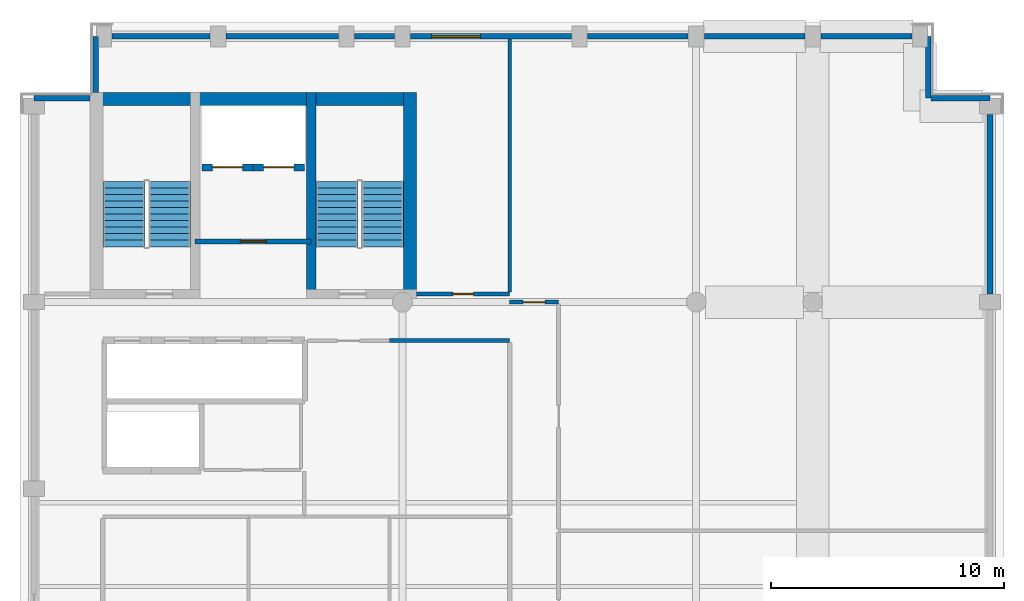
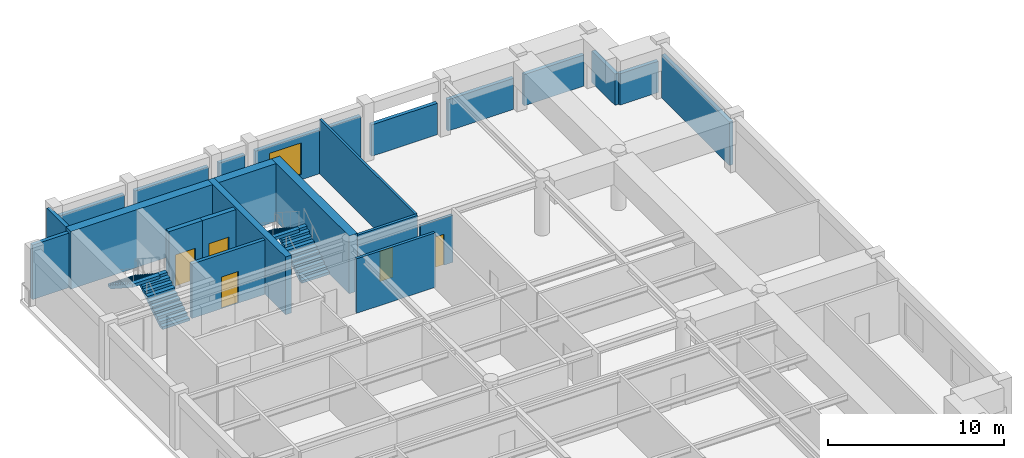
# One storey, part 4 of 7: 22 walls, 5 doors, 4 stair flights, 1 window, 6 openings, 2 elements without a shape of their own.
"""IFC4 building model written with IfcOpenShell, lengths in metres."""

from ifc_helpers import new_model, si_unit, direction, frame, frame_2d, origin, place, context, subcontext, project, spatial, polyline, rectangle, outline, extrude, material, layer, layer_set, type_object, element, fill, aggregate, save


model = new_model("IFC4")

# Units and contexts
model_context = context("Model", 3, precision=1e-05, world=origin(), true_north=direction((0.0, 1.0)))
body_context = subcontext(model_context, "Body", "Model", "MODEL_VIEW")
ifc_project = project(units=[si_unit("LENGTHUNIT", "METRE"), si_unit("AREAUNIT", "SQUARE_METRE"), si_unit("VOLUMEUNIT", "CUBIC_METRE"), si_unit("PLANEANGLEUNIT", "RADIAN"), si_unit("MASSUNIT", "GRAM", prefix="KILO")], contexts=[model_context])

# Site, building, storey
site_placement = place(None, origin())
site = spatial("IfcSite", under=ifc_project, at=site_placement, CompositionType="ELEMENT")
building_placement = place(site_placement, origin())
building = spatial("IfcBuilding", under=site, at=building_placement, Name="Sulina Concourse Tower", CompositionType="ELEMENT")
storey_placement = place(building_placement, frame((0.0, 0.0, 301.0)))
storey = spatial("IfcBuildingStorey", under=building, at=storey_placement, Name="L73", CompositionType="ELEMENT", Elevation=301.0)

# Wall, opening, door
ifc_material_1 = material(Name="Concrete C50/60", Category="concrete")
ifc_layer_1 = layer(ifc_material_1, 0.300048828125)
ifc_layer_set_1 = layer_set([ifc_layer_1], Name="Concrete C50/60")
wall_type_1 = type_object("IfcWallType", Name="Core Lift Hoistway Wall 300mm", PredefinedType="SOLIDWALL", material=ifc_layer_set_1)
wall_1_placement = place(storey_placement, frame((10.0, 39.780029296875, 0.0), z_axis=(0.0, 0.0, 1.0), x_axis=(-1.0, 0.0, 0.0)))
wall_1 = element("IfcWall", 1, at=wall_1_placement, inside=storey, type_object=wall_type_1, Name="L73 hoistway enclosure wall FFL-1", PredefinedType="SOLIDWALL", context=body_context, shape_type="SweptSolid", body=[
    extrude(rectangle(XDim=2.199951171875, YDim=0.300048828125, at=frame_2d((1.10009765625, 0.0))), origin(), (0.0, 0.0, 1.0), 4.0),
])
opening_1_placement = place(wall_1_placement, frame((0.449951171875, 0.0, 0.0)))
opening_1 = element("IfcOpeningElement", 2, at=opening_1_placement, cuts=wall_1, Name="Opening LD-02", PredefinedType="OPENING", context=body_context, shape_type="SweptSolid", body=[
    extrude(rectangle(XDim=1.300048828125, YDim=2.25, at=frame_2d((0.64990234375, 1.125))), frame((0.0, 0.159912109375, 0.0), z_axis=(0.0, -1.0, 0.0), x_axis=(1.0, 0.0, 0.0)), (0.0, 0.0, 1.0), 0.320068359375),
])
ifc_material_2 = material(Name="Stainless steel lift landing door", Category="steel")
ifc_layer_2 = layer(ifc_material_2, 0.050048828125)
ifc_layer_set_2 = layer_set([ifc_layer_2], Name="Stainless steel lift landing door")
door_type_1 = type_object("IfcDoorType", Name="Firefighting Lift Sliding Landing Door 1300x2250", OperationType="SLIDING_TO_RIGHT", PredefinedType="DOOR", material=ifc_layer_set_2)
door_1_placement = place(opening_1_placement, origin())
door_1 = element("IfcDoor", 3, at=door_1_placement, inside=storey, type_object=door_type_1, Name="L73 lift landing sliding door FFL-1", OperationType="SLIDING_TO_LEFT", OverallHeight=2.25, OverallWidth=1.300048828125, PredefinedType="DOOR", context=body_context, shape_type="SweptSolid", body=[
    extrude(rectangle(XDim=1.300048828125, YDim=2.25, at=frame_2d((0.64990234375, 1.125))), frame((0.0, 0.02490234375, 0.0), z_axis=(0.0, -1.0, 0.0), x_axis=(1.0, 0.0, 0.0)), (0.0, 0.0, 1.0), 0.050048828125),
])
fill(opening_1, door_1)

wall_2_placement = place(storey_placement, frame((12.199951171875, 39.780029296875, 0.0), z_axis=(0.0, 0.0, 1.0), x_axis=(-1.0, 0.0, 0.0)))
wall_2 = element("IfcWall", 4, at=wall_2_placement, inside=storey, type_object=wall_type_1, Name="L73 hoistway enclosure wall FFL-2", PredefinedType="SOLIDWALL", context=body_context, shape_type="SweptSolid", body=[
    extrude(rectangle(XDim=2.199951171875, YDim=0.300048828125, at=frame_2d((1.10009765625, 0.0))), origin(), (0.0, 0.0, 1.0), 4.0),
])
opening_2_placement = place(wall_2_placement, frame((0.449951171875, 0.0, 0.0)))
opening_2 = element("IfcOpeningElement", 5, at=opening_2_placement, cuts=wall_2, Name="Opening LD-02", PredefinedType="OPENING", context=body_context, shape_type="SweptSolid", body=[
    extrude(rectangle(XDim=1.300048828125, YDim=2.25, at=frame_2d((0.64990234375, 1.125))), frame((0.0, 0.159912109375, 0.0), z_axis=(0.0, -1.0, 0.0), x_axis=(1.0, 0.0, 0.0)), (0.0, 0.0, 1.0), 0.320068359375),
])
door_2_placement = place(opening_2_placement, origin())
door_2 = element("IfcDoor", 6, at=door_2_placement, inside=storey, type_object=door_type_1, Name="L73 lift landing sliding door FFL-2", OperationType="SLIDING_TO_RIGHT", OverallHeight=2.25, OverallWidth=1.300048828125, PredefinedType="DOOR", context=body_context, shape_type="SweptSolid", body=[
    extrude(rectangle(XDim=1.300048828125, YDim=2.25, at=frame_2d((0.64990234375, 1.125))), frame((0.0, 0.02490234375, 0.0), z_axis=(0.0, -1.0, 0.0), x_axis=(1.0, 0.0, 0.0)), (0.0, 0.0, 1.0), 0.050048828125),
])
fill(opening_2, door_2)

# Walls
ifc_material_3 = material(Name="Precast concrete C50/60", Category="concrete")
ifc_layer_3 = layer(ifc_material_3, 0.239990234375)
ifc_layer_set_3 = layer_set([ifc_layer_3], Name="Precast concrete C50/60")
wall_type_2 = type_object("IfcWallType", Name="Crown Precast Masonry-Frame Facade Wall 240mm", PredefinedType="SOLIDWALL", material=ifc_layer_set_3)
wall_3_placement = place(storey_placement, frame((3.945068359375, 45.39990234375, 0.0), z_axis=(0.0, 0.0, 1.0), x_axis=(1.0, 0.0, 0.0)))
element("IfcWall", 7, at=wall_3_placement, inside=storey, type_object=wall_type_2, Name="L73 exterior precast wall N1", PredefinedType="SOLIDWALL", context=body_context, shape_type="SweptSolid", body=[
    extrude(rectangle(XDim=4.2099609375, YDim=0.239990234375, at=frame_2d((2.10498046875, 0.0))), origin(), (0.0, 0.0, 1.0), 3.02490234375),
])
wall_4_placement = place(storey_placement, frame((8.844970703125, 45.39990234375, 0.0), z_axis=(0.0, 0.0, 1.0), x_axis=(1.0, 0.0, 0.0)))
element("IfcWall", 8, at=wall_4_placement, inside=storey, type_object=wall_type_2, Name="L73 exterior precast wall N2", PredefinedType="SOLIDWALL", context=body_context, shape_type="SweptSolid", body=[
    extrude(rectangle(XDim=4.81005859375, YDim=0.239990234375, at=frame_2d((2.405029296875, 0.0))), origin(), (0.0, 0.0, 1.0), 3.02490234375),
])
wall_5_placement = place(storey_placement, frame((14.344970703125, 45.39990234375, 0.0), z_axis=(0.0, 0.0, 1.0), x_axis=(1.0, 0.0, 0.0)))
element("IfcWall", 9, at=wall_5_placement, inside=storey, type_object=wall_type_2, Name="L73 exterior precast wall N3", PredefinedType="SOLIDWALL", context=body_context, shape_type="SweptSolid", body=[
    extrude(rectangle(XDim=1.7099609375, YDim=0.239990234375, at=frame_2d((0.85498046875, 0.0))), origin(), (0.0, 0.0, 1.0), 3.02490234375),
])

# Wall, opening, window
wall_6_placement = place(storey_placement, frame((16.7451171875, 45.39990234375, 0.0), z_axis=(0.0, 0.0, 1.0), x_axis=(1.0, 0.0, 0.0)))
wall_6 = element("IfcWall", 10, at=wall_6_placement, inside=storey, type_object=wall_type_2, Name="L73 exterior precast wall N4", PredefinedType="SOLIDWALL", context=body_context, shape_type="SweptSolid", body=[
    extrude(rectangle(XDim=6.909912109375, YDim=0.239990234375, at=frame_2d((3.455078125, 0.0))), origin(), (0.0, 0.0, 1.0), 3.02490234375),
])
opening_3_placement = place(wall_6_placement, frame((0.9033203125, 0.0, 0.35009765625)))
opening_3 = element("IfcOpeningElement", 11, at=opening_3_placement, cuts=wall_6, Name="Opening WN-33", PredefinedType="OPENING", context=body_context, shape_type="SweptSolid", body=[
    extrude(rectangle(XDim=2.10009765625, YDim=2.199951171875, at=frame_2d((1.050048828125, 1.10009765625))), frame((0.0, 0.1298828125, 0.0), z_axis=(0.0, -1.0, 0.0), x_axis=(1.0, 0.0, 0.0)), (0.0, 0.0, 1.0), 0.260009765625),
])
ifc_material_4 = material(Name="Low-E solar double glazing in bronze aluminium", Category="aluminium")
window_type = type_object("IfcWindowType", Name="Punched Masonry-Frame Window 2100x2200", PartitioningType="DOUBLE_PANEL_VERTICAL", PredefinedType="WINDOW", material=ifc_material_4)
window_placement = place(opening_3_placement, origin())
window = element("IfcWindow", 12, at=window_placement, inside=storey, type_object=window_type, Name="L73 punched window N4-1", OverallHeight=2.199951171875, OverallWidth=2.10009765625, PartitioningType="SINGLE_PANEL", PredefinedType="WINDOW", context=body_context, shape_type="SweptSolid", body=[
    extrude(rectangle(XDim=2.10009765625, YDim=2.199951171875, at=frame_2d((1.050048828125, 1.10009765625))), frame((0.0, 0.030029296875, 0.0), z_axis=(0.0, -1.0, 0.0), x_axis=(1.0, 0.0, 0.0)), (0.0, 0.0, 1.0), 0.06005859375),
])
fill(opening_3, window)

# Walls
wall_7_placement = place(storey_placement, frame((24.344970703125, 45.39990234375, 0.0), z_axis=(0.0, 0.0, 1.0), x_axis=(1.0, 0.0, 0.0)))
element("IfcWall", 13, at=wall_7_placement, inside=storey, type_object=wall_type_2, Name="L73 exterior precast wall N5", PredefinedType="SOLIDWALL", context=body_context, shape_type="SweptSolid", body=[
    extrude(rectangle(XDim=4.31005859375, YDim=0.239990234375, at=frame_2d((2.155029296875, 0.0))), origin(), (0.0, 0.0, 1.0), 2.175048828125),
])
wall_8_placement = place(storey_placement, frame((29.344970703125, 45.39990234375, 0.0), z_axis=(0.0, 0.0, 1.0), x_axis=(1.0, 0.0, 0.0)))
element("IfcWall", 14, at=wall_8_placement, inside=storey, type_object=wall_type_2, Name="L73 exterior precast wall N6", PredefinedType="SOLIDWALL", context=body_context, shape_type="SweptSolid", body=[
    extrude(rectangle(XDim=4.31005859375, YDim=0.239990234375, at=frame_2d((2.155029296875, 0.0))), origin(), (0.0, 0.0, 1.0), 2.1650390625),
])
wall_9_placement = place(storey_placement, frame((34.344970703125, 45.39990234375, 0.0), z_axis=(0.0, 0.0, 1.0), x_axis=(1.0, 0.0, 0.0)))
element("IfcWall", 15, at=wall_9_placement, inside=storey, type_object=wall_type_2, Name="L73 exterior precast wall N7", PredefinedType="SOLIDWALL", context=body_context, shape_type="SweptSolid", body=[
    extrude(rectangle(XDim=3.909912109375, YDim=0.239990234375, at=frame_2d((1.955078125, 0.0))), origin(), (0.0, 0.0, 1.0), 2.1650390625),
])
wall_10_placement = place(storey_placement, frame((41.60009765625, 42.054931640625, 0.0), z_axis=(0.0, 0.0, 1.0), x_axis=(0.0, -1.0, 0.0)))
element("IfcWall", 16, at=wall_10_placement, inside=storey, type_object=wall_type_2, Name="L73 exterior precast wall E3", PredefinedType="SOLIDWALL", context=body_context, shape_type="SweptSolid", body=[
    extrude(rectangle(XDim=7.7099609375, YDim=0.239990234375, at=frame_2d((3.85498046875, 0.0))), origin(), (0.0, 0.0, 1.0), 3.014892578125),
])
wall_11_placement = place(storey_placement, frame((0.60009765625, 42.7451171875, 0.0), z_axis=(0.0, 0.0, 1.0), x_axis=(1.0, 0.0, 0.0)))
element("IfcWall", 17, at=wall_11_placement, inside=storey, type_object=wall_type_2, Name="L73 exterior precast wall CNW1", PredefinedType="SOLIDWALL", context=body_context, shape_type="SweptSolid", body=[
    extrude(rectangle(XDim=2.39501953125, YDim=0.239990234375, at=frame_2d((1.197509765625, 0.0))), origin(), (0.0, 0.0, 1.0), 3.77490234375),
])
wall_12_placement = place(storey_placement, frame((3.2548828125, 42.985107421875, 0.0), z_axis=(0.0, 0.0, 1.0), x_axis=(0.0, 1.0, 0.0)))
element("IfcWall", 18, at=wall_12_placement, inside=storey, type_object=wall_type_2, Name="L73 exterior precast wall CNW2", PredefinedType="SOLIDWALL", context=body_context, shape_type="SweptSolid", body=[
    extrude(rectangle(XDim=2.414794921875, YDim=0.239990234375, at=frame_2d((1.20751953125, 0.0))), origin(), (0.0, 0.0, 1.0), 3.77490234375),
])
wall_13_placement = place(storey_placement, frame((38.945068359375, 45.39990234375, 0.0), z_axis=(0.0, 0.0, 1.0), x_axis=(0.0, -1.0, 0.0)))
element("IfcWall", 19, at=wall_13_placement, inside=storey, type_object=wall_type_2, Name="L73 exterior precast wall CNE1", PredefinedType="SOLIDWALL", context=body_context, shape_type="SweptSolid", body=[
    extrude(rectangle(XDim=2.65478515625, YDim=0.239990234375, at=frame_2d((1.327392578125, 0.0))), origin(), (0.0, 0.0, 1.0), 2.1650390625),
])
wall_14_placement = place(storey_placement, frame((39.070068359375, 42.7451171875, 0.0), z_axis=(0.0, 0.0, 1.0), x_axis=(1.0, 0.0, 0.0)))
element("IfcWall", 20, at=wall_14_placement, inside=storey, type_object=wall_type_2, Name="L73 exterior precast wall CNE2", PredefinedType="SOLIDWALL", context=body_context, shape_type="SweptSolid", body=[
    extrude(rectangle(XDim=2.530029296875, YDim=0.239990234375, at=frame_2d((1.26513671875, 0.0))), origin(), (0.0, 0.0, 1.0), 2.1650390625),
])

# Wall, opening, door
ifc_material_5 = material(Name="Gypsum board on steel stud", Category="steel")
ifc_layer_4 = layer(ifc_material_5, 0.219970703125)
ifc_layer_set_4 = layer_set([ifc_layer_4], Name="Gypsum board on steel stud")
wall_type_3 = type_object("IfcWallType", Name="Fire-Rated Lobby & Compartment Wall 220mm", PredefinedType="PARTITIONING", material=ifc_layer_set_4)
wall_15_placement = place(storey_placement, frame((7.510009765625, 36.60009765625, 0.0), z_axis=(0.0, 0.0, 1.0), x_axis=(1.0, 0.0, 0.0)))
wall_15 = element("IfcWall", 21, at=wall_15_placement, inside=storey, type_object=wall_type_3, Name="L73 firefighting lobby south fire wall", PredefinedType="PARTITIONING", context=body_context, shape_type="SweptSolid", body=[
    extrude(rectangle(XDim=4.97998046875, YDim=0.219970703125, at=frame_2d((2.489990234375, 0.0))), origin(), (0.0, 0.0, 1.0), 3.77490234375),
])
opening_4_placement = place(wall_15_placement, frame((1.93994140625, 0.0, 0.0)))
opening_4 = element("IfcOpeningElement", 22, at=opening_4_placement, cuts=wall_15, Name="Opening DR-47", PredefinedType="OPENING", context=body_context, shape_type="SweptSolid", body=[
    extrude(rectangle(XDim=1.10009765625, YDim=2.199951171875, at=frame_2d((0.550048828125, 1.10009765625))), frame((0.0, 0.119873046875, 0.0), z_axis=(0.0, -1.0, 0.0), x_axis=(1.0, 0.0, 0.0)), (0.0, 0.0, 1.0), 0.239990234375),
])
ifc_material_6 = material(Name="Galvanised steel acoustic fire leaf", Category="steel")
ifc_layer_5 = layer(ifc_material_6, 0.054931640625)
ifc_layer_set_5 = layer_set([ifc_layer_5], Name="Galvanised steel acoustic fire leaf")
door_type_2 = type_object("IfcDoorType", Name="Firefighting Lobby Fire Door 1100x2200", OperationType="NOTDEFINED", PredefinedType="DOOR", material=ifc_layer_set_5)
door_3_placement = place(opening_4_placement, origin())
door_3 = element("IfcDoor", 23, at=door_3_placement, inside=storey, type_object=door_type_2, Name="L73 firefighting lobby fire door", OperationType="SINGLE_SWING_RIGHT", OverallHeight=2.199951171875, OverallWidth=1.10009765625, PredefinedType="DOOR", context=body_context, shape_type="SweptSolid", body=[
    extrude(rectangle(XDim=1.10009765625, YDim=2.199951171875, at=frame_2d((0.550048828125, 1.10009765625))), frame((0.0, 0.02490234375, 0.0), z_axis=(0.0, -1.0, 0.0), x_axis=(1.0, 0.0, 0.0)), (0.0, 0.0, 1.0), 0.050048828125),
])
fill(opening_4, door_3)

# Walls
ifc_material_7 = material(Name="Gypsum board on steel stud", Category="steel")
ifc_layer_6 = layer(ifc_material_7, 0.14990234375)
ifc_layer_set_6 = layer_set([ifc_layer_6], Name="Gypsum board on steel stud")
wall_type_4 = type_object("IfcWallType", Name="Inter-Tenancy Acoustic Partition 150mm", PredefinedType="PARTITIONING", material=ifc_layer_set_6)
wall_16_placement = place(storey_placement, frame((21.0, 34.43994140625, 0.0), z_axis=(0.0, 0.0, 1.0), x_axis=(0.0, 1.0, 0.0)))
element("IfcWall", 24, at=wall_16_placement, inside=storey, type_object=wall_type_4, Name="L73 interior partition 028", PredefinedType="PARTITIONING", context=body_context, shape_type="SweptSolid", body=[
    extrude(rectangle(XDim=10.840087890625, YDim=0.14990234375, at=frame_2d((5.419921875, 0.0))), origin(), (0.0, 0.0, 1.0), 3.77490234375),
])
ifc_material_8 = material(Name="Gypsum board on steel stud", Category="steel")
ifc_layer_7 = layer(ifc_material_8, 0.179931640625)
ifc_layer_set_7 = layer_set([ifc_layer_7], Name="Gypsum board on steel stud")
wall_type_5 = type_object("IfcWallType", Name="Protected Corridor & Riser Partition 180mm", PredefinedType="PARTITIONING", material=ifc_layer_set_7)
wall_17_placement = place(storey_placement, frame((15.85009765625, 32.35009765625, 0.0), z_axis=(0.0, 0.0, 1.0), x_axis=(1.0, 0.0, 0.0)))
element("IfcWall", 25, at=wall_17_placement, inside=storey, type_object=wall_type_5, Name="L73 interior partition 016", PredefinedType="PARTITIONING", context=body_context, shape_type="SweptSolid", body=[
    extrude(rectangle(XDim=5.14990234375, YDim=0.179931640625, at=frame_2d((2.574951171875, 0.0))), origin(), (0.0, 0.0, 1.0), 3.77490234375),
])

# Wall, opening, door
wall_18_placement = place(storey_placement, frame((21.0, 34.0, 0.0), z_axis=(0.0, 0.0, 1.0), x_axis=(1.0, 0.0, 0.0)))
wall_18 = element("IfcWall", 26, at=wall_18_placement, inside=storey, type_object=wall_type_5, Name="L73 interior partition 017", PredefinedType="PARTITIONING", context=body_context, shape_type="SweptSolid", body=[
    extrude(rectangle(XDim=2.10009765625, YDim=0.179931640625, at=frame_2d((1.050048828125, 0.0))), origin(), (0.0, 0.0, 1.0), 3.27001953125),
])
opening_5_placement = place(wall_18_placement, frame((0.574951171875, 0.0, 0.0)))
opening_5 = element("IfcOpeningElement", 27, at=opening_5_placement, cuts=wall_18, Name="Opening DR-19", PredefinedType="OPENING", context=body_context, shape_type="SweptSolid", body=[
    extrude(rectangle(XDim=0.949951171875, YDim=2.14990234375, at=frame_2d((0.47509765625, 1.074951171875))), frame((0.0, 0.099853515625, 0.0), z_axis=(0.0, -1.0, 0.0), x_axis=(1.0, 0.0, 0.0)), (0.0, 0.0, 1.0), 0.199951171875),
])
ifc_material_9 = material(Name="Oak-veneered acoustic timber leaf", Category="wood")
ifc_layer_8 = layer(ifc_material_9, 0.050048828125)
ifc_layer_set_8 = layer_set([ifc_layer_8], Name="Oak-veneered acoustic timber leaf")
door_type_3 = type_object("IfcDoorType", Name="Cellular Office & Meeting Door 950x2150", OperationType="NOTDEFINED", PredefinedType="DOOR", material=ifc_layer_set_8)
door_4_placement = place(opening_5_placement, origin())
door_4 = element("IfcDoor", 28, at=door_4_placement, inside=storey, type_object=door_type_3, Name="L73 interior door L73-CR-N2", OperationType="SINGLE_SWING_RIGHT", OverallHeight=2.14990234375, OverallWidth=0.949951171875, PredefinedType="DOOR", context=body_context, shape_type="SweptSolid", body=[
    extrude(rectangle(XDim=0.949951171875, YDim=2.14990234375, at=frame_2d((0.47509765625, 1.074951171875))), frame((0.0, 0.02490234375, 0.0), z_axis=(0.0, -1.0, 0.0), x_axis=(1.0, 0.0, 0.0)), (0.0, 0.0, 1.0), 0.050048828125),
])
fill(opening_5, door_4)

wall_19_placement = place(storey_placement, frame((17.0, 34.35009765625, 0.0), z_axis=(0.0, 0.0, 1.0), x_axis=(1.0, 0.0, 0.0)))
wall_19 = element("IfcWall", 29, at=wall_19_placement, inside=storey, type_object=wall_type_5, Name="L73 interior partition 019", PredefinedType="PARTITIONING", context=body_context, shape_type="SweptSolid", body=[
    extrude(rectangle(XDim=4.0, YDim=0.179931640625, at=frame_2d((2.0, 0.0))), origin(), (0.0, 0.0, 1.0), 3.77490234375),
])
opening_6_placement = place(wall_19_placement, frame((1.56005859375, 0.0, 0.0)))
opening_6 = element("IfcOpeningElement", 30, at=opening_6_placement, cuts=wall_19, Name="Opening DR-38", PredefinedType="OPENING", context=body_context, shape_type="SweptSolid", body=[
    extrude(rectangle(XDim=0.8798828125, YDim=2.10009765625, at=frame_2d((0.43994140625, 1.050048828125))), frame((0.0, 0.099853515625, 0.0), z_axis=(0.0, -1.0, 0.0), x_axis=(1.0, 0.0, 0.0)), (0.0, 0.0, 1.0), 0.199951171875),
])
ifc_material_10 = material(Name="Galvanised steel acoustic fire leaf", Category="steel")
ifc_layer_9 = layer(ifc_material_10, 0.050048828125)
ifc_layer_set_9 = layer_set([ifc_layer_9], Name="Galvanised steel acoustic fire leaf")
door_type_4 = type_object("IfcDoorType", Name="Service Riser Fire Door 880x2100", OperationType="NOTDEFINED", PredefinedType="DOOR", material=ifc_layer_set_9)
door_5_placement = place(opening_6_placement, origin())
door_5 = element("IfcDoor", 31, at=door_5_placement, inside=storey, type_object=door_type_4, Name="L73 interior door L73-CR-N1", OperationType="SINGLE_SWING_LEFT", OverallHeight=2.10009765625, OverallWidth=0.8798828125, PredefinedType="DOOR", context=body_context, shape_type="SweptSolid", body=[
    extrude(rectangle(XDim=0.8798828125, YDim=2.10009765625, at=frame_2d((0.43994140625, 1.050048828125))), frame((0.0, 0.02490234375, 0.0), z_axis=(0.0, -1.0, 0.0), x_axis=(1.0, 0.0, 0.0)), (0.0, 0.0, 1.0), 0.050048828125),
])
fill(opening_6, door_5)

# Walls
ifc_material_11 = material(Name="Concrete C60/75", Category="concrete")
ifc_layer_10 = layer(ifc_material_11, 0.39990234375)
ifc_layer_set_10 = layer_set([ifc_layer_10], Name="Concrete C60/75")
wall_type_6 = type_object("IfcWallType", Name="Protected Stair Core Shear Wall 400mm", PredefinedType="SHEAR", material=ifc_layer_set_10)
wall_20_placement = place(storey_placement, frame((12.489990234375, 34.14990234375, 0.0), z_axis=(0.0, 0.0, 1.0), x_axis=(0.0, 1.0, 0.0)))
element("IfcWall", 32, at=wall_20_placement, inside=storey, type_object=wall_type_6, Name="L73 west core shear wall SW-ST2", PredefinedType="SHEAR", context=body_context, shape_type="SweptSolid", body=[
    extrude(rectangle(XDim=8.830078125, YDim=0.39990234375, at=frame_2d((4.4150390625, 0.0))), origin(), (0.0, 0.0, 1.0), 4.0),
])
ifc_material_12 = material(Name="Concrete C50/60", Category="concrete")
ifc_layer_11 = layer(ifc_material_12, 0.550048828125)
ifc_layer_set_11 = layer_set([ifc_layer_11], Name="Concrete C50/60")
wall_type_7 = type_object("IfcWallType", Name="Upper Core Shear Wall 550mm", PredefinedType="SHEAR", material=ifc_layer_set_11)
wall_21_placement = place(storey_placement, frame((3.0, 42.705078125, 0.0), z_axis=(0.0, 0.0, 1.0), x_axis=(1.0, 0.0, 0.0)))
element("IfcWall", 33, at=wall_21_placement, inside=storey, type_object=wall_type_7, Name="L73 west core shear wall CW-WN", PredefinedType="SHEAR", context=body_context, shape_type="SweptSolid", body=[
    extrude(rectangle(XDim=14.0, YDim=0.550048828125, at=frame_2d((7.0, 0.0))), origin(), (0.0, 0.0, 1.0), 4.0),
])
wall_22_placement = place(storey_placement, frame((16.72509765625, 34.14990234375, 0.0), z_axis=(0.0, 0.0, 1.0), x_axis=(0.0, 1.0, 0.0)))
element("IfcWall", 34, at=wall_22_placement, inside=storey, type_object=wall_type_7, Name="L73 west core shear wall CW-WE", PredefinedType="SHEAR", context=body_context, shape_type="SweptSolid", body=[
    extrude(rectangle(XDim=8.830078125, YDim=0.550048828125, at=frame_2d((4.4150390625, 0.0))), origin(), (0.0, 0.0, 1.0), 4.0),
])

# Stair, stair flights
ifc_material_13 = material(Name="Concrete C50/60", Category="concrete")
stair_type = type_object("IfcStairType", Name="Primary Core Dog-Leg Exit Stair 1800mm", PredefinedType="HALF_TURN_STAIR", material=ifc_material_13)
stair_1_placement = place(storey_placement, origin())
stair_1 = element("IfcStair", 35, at=stair_1_placement, inside=storey, type_object=stair_type, Name="L73 ST-1", PredefinedType="HALF_TURN_STAIR")
ifc_material_14 = material(Name="Concrete C50/60", Category="concrete")
stair_flight_type = type_object("IfcStairFlightType", Name="Primary Core Dog-Leg Exit Stair 1800mm Flight", PredefinedType="STRAIGHT", material=ifc_material_14)
stair_flight_1_placement = place(storey_placement, frame((6.405029296875, 36.375, 0.0), z_axis=(0.0, 0.0, 1.0), x_axis=(0.0, 1.0, 0.0)))
stair_flight_1 = element("IfcStairFlight", 36, at=stair_flight_1_placement, type_object=stair_flight_type, Name="ST-1 flight 1", NumberOfRisers=11, NumberOfTreads=10, PredefinedType="STRAIGHT", RiserHeight=0.181818182, TreadLength=0.28, context=body_context, shape_type="SweptSolid", body=[
    extrude(outline(polyline([(0.0, 0.0), (0.0, 0.181884765625), (0.280029296875, 0.181884765625), (0.280029296875, 0.363525390625), (0.56005859375, 0.363525390625), (0.56005859375, 0.54541015625), (0.840087890625, 0.54541015625), (0.840087890625, 0.727294921875), (1.1201171875, 0.727294921875), (1.1201171875, 0.9091796875), (1.39990234375, 0.9091796875), (1.39990234375, 1.0908203125), (1.679931640625, 1.0908203125), (1.679931640625, 1.272705078125), (1.9599609375, 1.272705078125), (1.9599609375, 1.45458984375), (2.239990234375, 1.45458984375), (2.239990234375, 1.636474609375), (2.52001953125, 1.636474609375), (2.52001953125, 1.818115234375), (2.800048828125, 1.818115234375), (2.800048828125, 2.0), (2.800048828125, 1.603759765625), (0.330322265625, 0.0), (0.0, 0.0)])), frame((0.0, 0.89990234375, 0.0), z_axis=(0.0, -1.0, 0.0), x_axis=(1.0, 0.0, 0.0)), (0.0, 0.0, 1.0), 1.800048828125),
])
stair_flight_2_placement = place(storey_placement, frame((4.455078125, 39.175048828125, 2.0), z_axis=(0.0, 0.0, 1.0), x_axis=(0.0, -1.0, 0.0)))
stair_flight_2 = element("IfcStairFlight", 37, at=stair_flight_2_placement, type_object=stair_flight_type, Name="ST-1 flight 2", NumberOfRisers=11, NumberOfTreads=10, PredefinedType="STRAIGHT", RiserHeight=0.181818182, TreadLength=0.28, context=body_context, shape_type="SweptSolid", body=[
    extrude(outline(polyline([(0.0, 0.0), (0.0, 0.181884765625), (0.280029296875, 0.181884765625), (0.280029296875, 0.363525390625), (0.56005859375, 0.363525390625), (0.56005859375, 0.54541015625), (0.840087890625, 0.54541015625), (0.840087890625, 0.727294921875), (1.1201171875, 0.727294921875), (1.1201171875, 0.9091796875), (1.39990234375, 0.9091796875), (1.39990234375, 1.0908203125), (1.679931640625, 1.0908203125), (1.679931640625, 1.272705078125), (1.9599609375, 1.272705078125), (1.9599609375, 1.45458984375), (2.239990234375, 1.45458984375), (2.239990234375, 1.636474609375), (2.52001953125, 1.636474609375), (2.52001953125, 1.818115234375), (2.800048828125, 1.818115234375), (2.800048828125, 2.0), (2.800048828125, 1.603759765625), (0.330322265625, 0.0), (0.0, 0.0)])), frame((0.0, 0.89990234375, 0.0), z_axis=(0.0, -1.0, 0.0), x_axis=(1.0, 0.0, 0.0)), (0.0, 0.0, 1.0), 1.800048828125),
])
aggregate(stair_1, [stair_flight_1, stair_flight_2])

stair_2_placement = place(storey_placement, origin())
stair_2 = element("IfcStair", 38, at=stair_2_placement, inside=storey, type_object=stair_type, Name="L73 ST-2", PredefinedType="HALF_TURN_STAIR")
stair_flight_3_placement = place(storey_placement, frame((15.544921875, 36.375, 0.0), z_axis=(0.0, 0.0, 1.0), x_axis=(0.0, 1.0, 0.0)))
stair_flight_3 = element("IfcStairFlight", 39, at=stair_flight_3_placement, type_object=stair_flight_type, Name="ST-2 flight 1", NumberOfRisers=11, NumberOfTreads=10, PredefinedType="STRAIGHT", RiserHeight=0.181818182, TreadLength=0.28, context=body_context, shape_type="SweptSolid", body=[
    extrude(outline(polyline([(0.0, 0.0), (0.0, 0.181884765625), (0.280029296875, 0.181884765625), (0.280029296875, 0.363525390625), (0.56005859375, 0.363525390625), (0.56005859375, 0.54541015625), (0.840087890625, 0.54541015625), (0.840087890625, 0.727294921875), (1.1201171875, 0.727294921875), (1.1201171875, 0.9091796875), (1.39990234375, 0.9091796875), (1.39990234375, 1.0908203125), (1.679931640625, 1.0908203125), (1.679931640625, 1.272705078125), (1.9599609375, 1.272705078125), (1.9599609375, 1.45458984375), (2.239990234375, 1.45458984375), (2.239990234375, 1.636474609375), (2.52001953125, 1.636474609375), (2.52001953125, 1.818115234375), (2.800048828125, 1.818115234375), (2.800048828125, 2.0), (2.800048828125, 1.603759765625), (0.330322265625, 0.0), (0.0, 0.0)])), frame((0.0, 0.89990234375, 0.0), z_axis=(0.0, -1.0, 0.0), x_axis=(1.0, 0.0, 0.0)), (0.0, 0.0, 1.0), 1.800048828125),
])
stair_flight_4_placement = place(storey_placement, frame((13.594970703125, 39.175048828125, 2.0), z_axis=(0.0, 0.0, 1.0), x_axis=(0.0, -1.0, 0.0)))
stair_flight_4 = element("IfcStairFlight", 40, at=stair_flight_4_placement, type_object=stair_flight_type, Name="ST-2 flight 2", NumberOfRisers=11, NumberOfTreads=10, PredefinedType="STRAIGHT", RiserHeight=0.181818182, TreadLength=0.28, context=body_context, shape_type="SweptSolid", body=[
    extrude(outline(polyline([(0.0, 0.0), (0.0, 0.181884765625), (0.280029296875, 0.181884765625), (0.280029296875, 0.363525390625), (0.56005859375, 0.363525390625), (0.56005859375, 0.54541015625), (0.840087890625, 0.54541015625), (0.840087890625, 0.727294921875), (1.1201171875, 0.727294921875), (1.1201171875, 0.9091796875), (1.39990234375, 0.9091796875), (1.39990234375, 1.0908203125), (1.679931640625, 1.0908203125), (1.679931640625, 1.272705078125), (1.9599609375, 1.272705078125), (1.9599609375, 1.45458984375), (2.239990234375, 1.45458984375), (2.239990234375, 1.636474609375), (2.52001953125, 1.636474609375), (2.52001953125, 1.818115234375), (2.800048828125, 1.818115234375), (2.800048828125, 2.0), (2.800048828125, 1.603759765625), (0.330322265625, 0.0), (0.0, 0.0)])), frame((0.0, 0.89990234375, 0.0), z_axis=(0.0, -1.0, 0.0), x_axis=(1.0, 0.0, 0.0)), (0.0, 0.0, 1.0), 1.800048828125),
])
aggregate(stair_2, [stair_flight_3, stair_flight_4])

save(model, "model.ifc")
